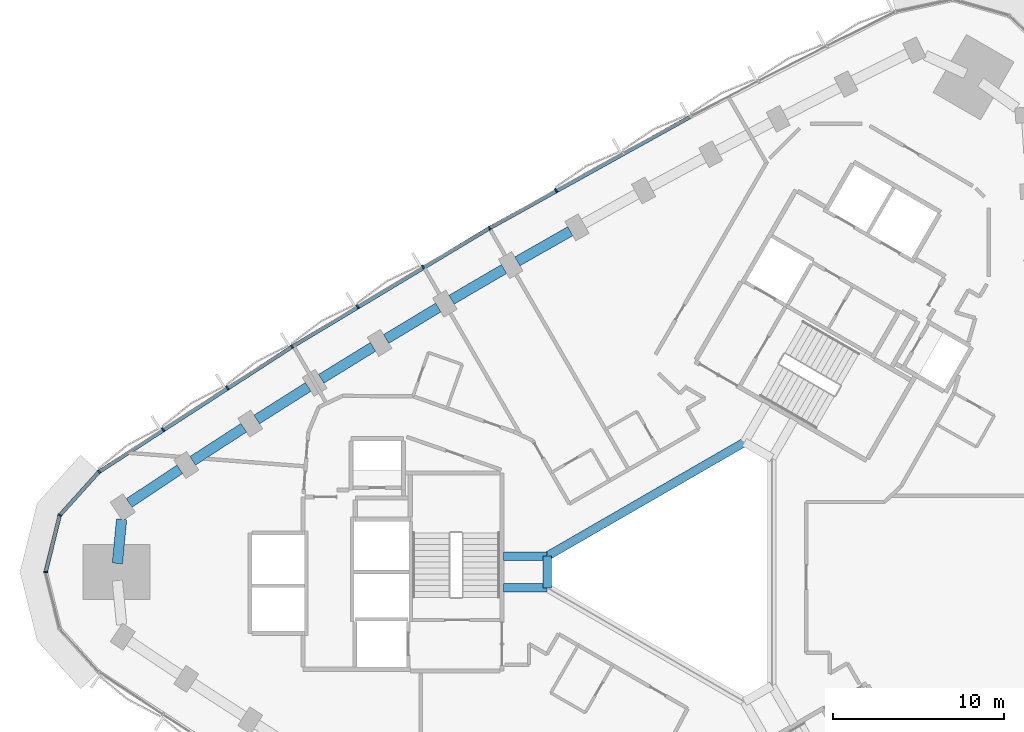
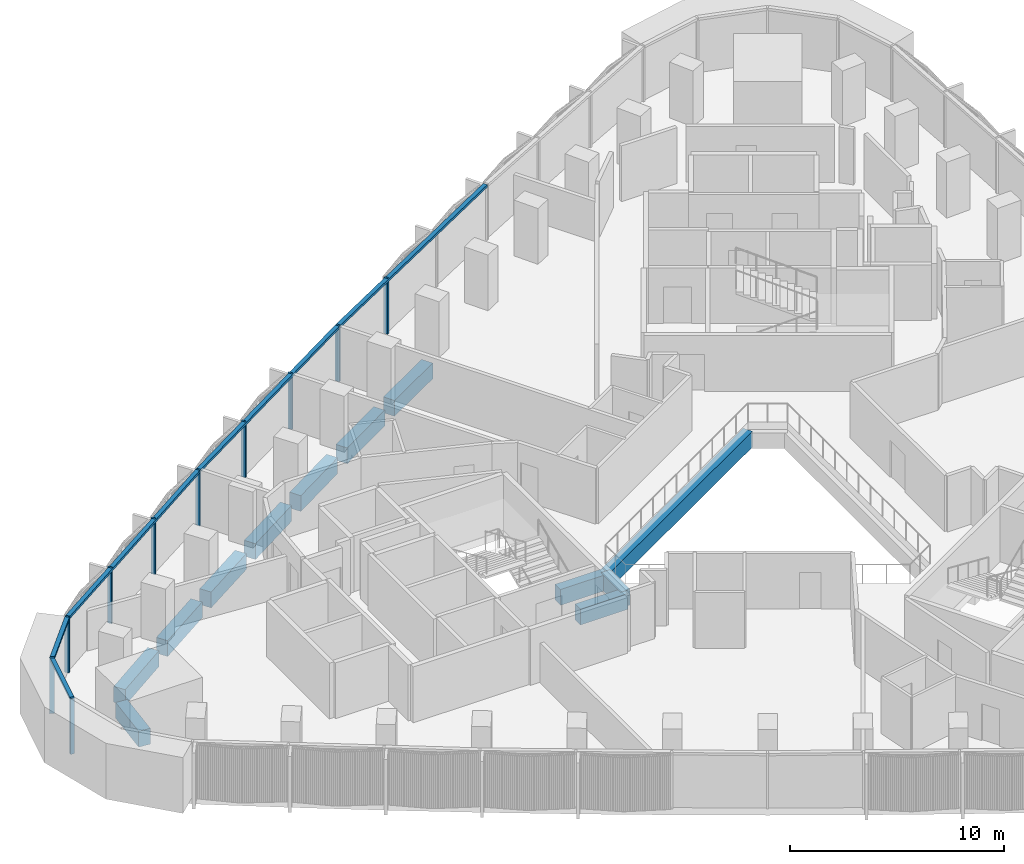
# One storey, part 4 of 15: 15 members, 12 beams, 1 element without a shape of its own.
"""IFC4 building model written with IfcOpenShell, lengths in metres."""

from ifc_helpers import new_model, si_unit, direction, frame, origin, origin_2d, place, context, subcontext, project, spatial, rectangle, extrude, material, material_profile, profile_set, type_object, element, aggregate, save


model = new_model("IFC4")

# Units and contexts
model_context = context("Model", 3, precision=1e-05, world=origin(), true_north=direction((0.0, 1.0)))
body_context = subcontext(model_context, "Body", "Model", "MODEL_VIEW")
ifc_project = project(units=[si_unit("LENGTHUNIT", "METRE"), si_unit("AREAUNIT", "SQUARE_METRE"), si_unit("VOLUMEUNIT", "CUBIC_METRE"), si_unit("PLANEANGLEUNIT", "RADIAN"), si_unit("MASSUNIT", "GRAM", prefix="KILO")], contexts=[model_context])

# Site, building, storey
site_placement = place(None, origin())
site = spatial("IfcSite", under=ifc_project, at=site_placement, CompositionType="ELEMENT")
building_placement = place(site_placement, origin())
building = spatial("IfcBuilding", under=site, at=building_placement, Name="Tamra Quay Hotel Tower", CompositionType="ELEMENT")
storey_placement = place(building_placement, frame((0.0, 0.0, 108.199951171875)))
storey = spatial("IfcBuildingStorey", under=building, at=storey_placement, Name="L26", CompositionType="ELEMENT", Elevation=108.199951171875)

# Beams
ifc_material_1 = material(Name="Concrete M60", Category="concrete")
ifc_material_profile_1 = material_profile(ifc_material_1, rectangle(XDim=0.5, YDim=0.89990234375, at=origin_2d()), Name="ATRIUM EDGE BEAM RC 500x900")
ifc_profile_set_1 = profile_set([ifc_material_profile_1], Name="Concrete M60")
beam_type_1 = type_object("IfcBeamType", Name="ATRIUM EDGE BEAM RC 500x900", PredefinedType="BEAM", material=ifc_profile_set_1)
beam_1_placement = place(storey_placement, frame((-8.199951171875, -0.923828125, -0.875), z_axis=(0.0, 1.0, 0.0), x_axis=(-1.0, 0.0, 0.0)))
element("IfcBeam", 1, at=beam_1_placement, inside=storey, type_object=beam_type_1, Name="BM-AB3-L26", PredefinedType="BEAM", context=body_context, shape_type="SweptSolid", body=[
    extrude(rectangle(XDim=0.5, YDim=0.89990234375, at=origin_2d()), origin(), (0.0, 0.0, 1.0), 1.84765625),
])
beam_2_placement = place(storey_placement, frame((-8.199951171875, 0.923828125, -0.875), z_axis=(0.866029440693, 0.499993007805, 0.0), x_axis=(-0.499993007805, 0.866029440693, 0.0)))
element("IfcBeam", 2, at=beam_2_placement, inside=storey, type_object=beam_type_1, Name="BM-AB4-L26", PredefinedType="BEAM", context=body_context, shape_type="SweptSolid", body=[
    extrude(rectangle(XDim=0.5, YDim=0.89990234375, at=origin_2d()), origin(), (0.0, 0.0, 1.0), 13.279052734375),
])
ifc_material_profile_2 = material_profile(ifc_material_1, rectangle(XDim=0.5, YDim=0.89990234375, at=origin_2d()), Name="ATRIUM TIE BEAM RC 500x900")
ifc_profile_set_2 = profile_set([ifc_material_profile_2], Name="Concrete M60")
beam_type_2 = type_object("IfcBeamType", Name="ATRIUM TIE BEAM RC 500x900", PredefinedType="BEAM", material=ifc_profile_set_2)
for number, where, z_axis, x_axis, name in (
    (3, (-8.199951171875, -0.923828125, -0.875), (-1.0, 0.0, 0.0), (0.0, -1.0, 0.0), "BM-TIE-3-L26"),
    (4, (-8.199951171875, 0.923828125, -0.875), (-1.0, 0.0, 0.0), (0.0, -1.0, 0.0), "BM-TIE-4-L26"),
):
    element("IfcBeam", number, at=place(storey_placement, frame(where, z_axis=z_axis, x_axis=x_axis)), inside=storey, type_object=beam_type_2, Name=name, PredefinedType="BEAM", context=body_context, shape_type="SweptSolid", body=[
        extrude(rectangle(XDim=0.5, YDim=0.89990234375, at=origin_2d()), origin(), (0.0, 0.0, 1.0), 2.562255859375),
    ])

# Curtain wall, members
ifc_material_2 = material(Name="Aluminium 6063 anodised dark grey", Category="aluminium")
curtain_wall_type = type_object("IfcCurtainWallType", Name="CW2 CURTAIN WALL", PredefinedType="NOTDEFINED", material=ifc_material_2)
curtain_wall_placement = place(storey_placement, origin())
curtain_wall = element("IfcCurtainWall", 5, at=curtain_wall_placement, inside=storey, type_object=curtain_wall_type, Name="CW2 north-west face L26", PredefinedType="NOTDEFINED")
ifc_material_profile_3 = material_profile(ifc_material_2, rectangle(XDim=0.219970703125, YDim=0.10009765625, at=origin_2d()), Name="MULLION 100X220")
ifc_profile_set_3 = profile_set([ifc_material_profile_3], Name="Aluminium 6063 anodised dark grey")
member_type_1 = type_object("IfcMemberType", Name="MULLION CW2 Z2", PredefinedType="MULLION", material=ifc_profile_set_3)
member_1_placement = place(storey_placement, frame((-7.685791015625, 22.25830078125, 0.0), z_axis=(0.0, 0.0, 1.0), x_axis=(-0.490074328026, 0.871680648523, 0.0)))
member_1 = element("IfcMember", 6, at=member_1_placement, type_object=member_type_1, Name="CW2 mullion L26.NW.6", PredefinedType="MULLION", context=body_context, shape_type="SweptSolid", body=[
    extrude(rectangle(XDim=0.219970703125, YDim=0.10009765625, at=origin_2d()), origin(), (0.0, 0.0, 1.0), 3.175048828125),
])
member_2_placement = place(storey_placement, frame((-11.572265625, 20.0439453125, 0.0), z_axis=(0.0, 0.0, 1.0), x_axis=(-0.5, 0.866025403784, 0.0)))
member_2 = element("IfcMember", 7, at=member_2_placement, type_object=member_type_1, Name="CW2 mullion L26.NW.7", PredefinedType="MULLION", context=body_context, shape_type="SweptSolid", body=[
    extrude(rectangle(XDim=0.219970703125, YDim=0.10009765625, at=origin_2d()), origin(), (0.0, 0.0, 1.0), 3.175048828125),
])
member_3_placement = place(storey_placement, frame((-15.43359375, 17.78515625, 0.0), z_axis=(0.0, 0.0, 1.0), x_axis=(-0.509860421596, 0.860257142075, 0.0)))
member_3 = element("IfcMember", 8, at=member_3_placement, type_object=member_type_1, Name="CW2 mullion L26.NW.8", PredefinedType="MULLION", context=body_context, shape_type="SweptSolid", body=[
    extrude(rectangle(XDim=0.219970703125, YDim=0.10009765625, at=origin_2d()), origin(), (0.0, 0.0, 1.0), 3.175048828125),
])
member_4_placement = place(storey_placement, frame((-19.2685546875, 15.482666015625, 0.0), z_axis=(0.0, 0.0, 1.0), x_axis=(-0.519650021275, 0.854379222236, 0.0)))
member_4 = element("IfcMember", 9, at=member_4_placement, type_object=member_type_1, Name="CW2 mullion L26.NW.9", PredefinedType="MULLION", context=body_context, shape_type="SweptSolid", body=[
    extrude(rectangle(XDim=0.219970703125, YDim=0.10009765625, at=origin_2d()), origin(), (0.0, 0.0, 1.0), 3.175048828125),
])
member_5_placement = place(storey_placement, frame((-23.0771484375, 13.13623046875, 0.0), z_axis=(0.0, 0.0, 1.0), x_axis=(-0.5293643356, 0.848394601701, 0.0)))
member_5 = element("IfcMember", 10, at=member_5_placement, type_object=member_type_1, Name="CW2 mullion L26.NW.10", PredefinedType="MULLION", context=body_context, shape_type="SweptSolid", body=[
    extrude(rectangle(XDim=0.219970703125, YDim=0.10009765625, at=origin_2d()), origin(), (0.0, 0.0, 1.0), 3.175048828125),
])
member_6_placement = place(storey_placement, frame((-26.858642578125, 10.74658203125, 0.0), z_axis=(0.0, 0.0, 1.0), x_axis=(-0.538998516205, 0.842306713453, 0.0)))
member_6 = element("IfcMember", 11, at=member_6_placement, type_object=member_type_1, Name="CW2 mullion L26.NW.11", PredefinedType="MULLION", context=body_context, shape_type="SweptSolid", body=[
    extrude(rectangle(XDim=0.219970703125, YDim=0.10009765625, at=origin_2d()), origin(), (0.0, 0.0, 1.0), 3.175048828125),
])
member_7_placement = place(storey_placement, frame((-30.612548828125, 8.314208984375, 0.0), z_axis=(0.0, 0.0, 1.0), x_axis=(-0.548547394531, 0.836119462729, 0.0)))
member_7 = element("IfcMember", 12, at=member_7_placement, type_object=member_type_1, Name="CW2 mullion L26.NW.12", PredefinedType="MULLION", context=body_context, shape_type="SweptSolid", body=[
    extrude(rectangle(XDim=0.219970703125, YDim=0.10009765625, at=origin_2d()), origin(), (0.0, 0.0, 1.0), 3.175048828125),
])
member_8_placement = place(storey_placement, frame((-34.338134765625, 5.839599609375, 0.0), z_axis=(0.0, 0.0, 1.0), x_axis=(-0.652886835472, 0.757455464081, 0.0)))
member_8 = element("IfcMember", 13, at=member_8_placement, type_object=member_type_1, Name="CW2 mullion L26.NW.13", PredefinedType="MULLION", context=body_context, shape_type="SweptSolid", body=[
    extrude(rectangle(XDim=0.219970703125, YDim=0.10009765625, at=origin_2d()), origin(), (0.0, 0.0, 1.0), 3.175048828125),
])
member_9_placement = place(storey_placement, frame((-36.623046875, 3.308349609375, 0.0), z_axis=(0.0, 0.0, 1.0), x_axis=(-0.882543846683, 0.47023011248, 0.0)))
member_9 = element("IfcMember", 14, at=member_9_placement, type_object=member_type_1, Name="CW2 mullion L26.NW.14", PredefinedType="MULLION", context=body_context, shape_type="SweptSolid", body=[
    extrude(rectangle(XDim=0.219970703125, YDim=0.10009765625, at=origin_2d()), origin(), (0.0, 0.0, 1.0), 3.175048828125),
])
member_10_placement = place(storey_placement, frame((-37.449462890625, 0.0, 0.0), z_axis=(0.0, 0.0, 1.0), x_axis=(-1.0, 0.0, 0.0)))
member_10 = element("IfcMember", 15, at=member_10_placement, type_object=member_type_1, Name="CW2 mullion L26.NW.15", PredefinedType="MULLION", context=body_context, shape_type="SweptSolid", body=[
    extrude(rectangle(XDim=0.219970703125, YDim=0.10009765625, at=origin_2d()), origin(), (0.0, 0.0, 1.0), 3.175048828125),
])

# Beams
ifc_material_profile_4 = material_profile(ifc_material_1, rectangle(XDim=0.60009765625, YDim=0.89990234375, at=origin_2d()), Name="SPANDREL BEAM RC 600x900")
ifc_profile_set_4 = profile_set([ifc_material_profile_4], Name="Concrete M60")
beam_type_3 = type_object("IfcBeamType", Name="SPANDREL BEAM RC 600x900", PredefinedType="SPANDREL", material=ifc_profile_set_4)
beam_3_placement = place(storey_placement, frame((-6.8583984375, 19.868896484375, -0.875), z_axis=(-0.868869699181, -0.495040852704, 0.0), x_axis=(0.495040852704, -0.868869699181, 0.0)))
element("IfcBeam", 16, at=beam_3_placement, inside=storey, type_object=beam_type_3, Name="BM-SP2-019-L26", PredefinedType="SPANDREL", context=body_context, shape_type="SweptSolid", body=[
    extrude(rectangle(XDim=0.60009765625, YDim=0.89990234375, at=origin_2d()), origin(), (0.0, 0.0, 1.0), 3.544921875),
])
for number, where, z_axis, x_axis, name in (
    (17, (-10.718017578125, 17.6640625, -0.875), (-0.863128698129, -0.504984010109, 0.0), (0.504984010109, -0.863128698129, 0.0), "BM-SP2-020-L26"),
    (18, (-14.552001953125, 15.415283203125, -0.875), (-0.857286231776, -0.514840088578, 0.0), (0.514840088578, -0.857286231776, 0.0), "BM-SP2-021-L26"),
):
    element("IfcBeam", number, at=place(storey_placement, frame(where, z_axis=z_axis, x_axis=x_axis)), inside=storey, type_object=beam_type_3, Name=name, PredefinedType="SPANDREL", context=body_context, shape_type="SweptSolid", body=[
        extrude(rectangle(XDim=0.60009765625, YDim=0.89990234375, at=origin_2d()), origin(), (0.0, 0.0, 1.0), 3.544677734375),
    ])
for number, where, z_axis, x_axis, name in (
    (19, (-18.35986328125, 13.122802734375, -0.875), (-0.851393361846, -0.524527733685, 0.0), (0.524527733685, -0.851393361846, 0.0), "BM-SP2-022-L26"),
    (20, (-22.1416015625, 10.787109375, -0.875), (-0.845333394052, -0.534239134566, 0.0), (0.534239134566, -0.845333394052, 0.0), "BM-SP2-023-L26"),
):
    element("IfcBeam", number, at=place(storey_placement, frame(where, z_axis=z_axis, x_axis=x_axis)), inside=storey, type_object=beam_type_3, Name=name, PredefinedType="SPANDREL", context=body_context, shape_type="SweptSolid", body=[
        extrude(rectangle(XDim=0.60009765625, YDim=0.89990234375, at=origin_2d()), origin(), (0.0, 0.0, 1.0), 3.544921875),
    ])
beam_4_placement = place(storey_placement, frame((-25.896240234375, 8.408203125, -0.875), z_axis=(-0.839237385713, -0.543765216266, 0.0), x_axis=(0.543765216266, -0.839237385713, 0.0)))
element("IfcBeam", 21, at=beam_4_placement, inside=storey, type_object=beam_type_3, Name="BM-SP2-024-L26", PredefinedType="SPANDREL", context=body_context, shape_type="SweptSolid", body=[
    extrude(rectangle(XDim=0.60009765625, YDim=0.89990234375, at=origin_2d()), origin(), (0.0, 0.0, 1.0), 3.544677734375),
])
beam_5_placement = place(storey_placement, frame((-29.623779296875, 5.98681640625, -0.875), z_axis=(-0.832981511469, -0.55330082374, 0.0), x_axis=(0.55330082374, -0.832981511469, 0.0)))
element("IfcBeam", 22, at=beam_5_placement, inside=storey, type_object=beam_type_3, Name="BM-SP2-025-L26", PredefinedType="SPANDREL", context=body_context, shape_type="SweptSolid", body=[
    extrude(rectangle(XDim=0.60009765625, YDim=0.89990234375, at=origin_2d()), origin(), (0.0, 0.0, 1.0), 3.544921875),
])
beam_6_placement = place(storey_placement, frame((-33.019287109375, 3.070556640625, -0.875), z_axis=(-0.09550001445, -0.995429428558, 0.0), x_axis=(0.995429428558, -0.09550001445, 0.0)))
element("IfcBeam", 23, at=beam_6_placement, inside=storey, type_object=beam_type_3, Name="BM-SP2-026-L26", PredefinedType="SPANDREL", context=body_context, shape_type="SweptSolid", body=[
    extrude(rectangle(XDim=0.60009765625, YDim=0.89990234375, at=origin_2d()), origin(), (0.0, 0.0, 1.0), 2.58447265625),
])

# Member
ifc_material_profile_5 = material_profile(ifc_material_2, rectangle(XDim=0.219970703125, YDim=0.139892578125, at=origin_2d()), Name="TRANSOM 220X140")
ifc_profile_set_5 = profile_set([ifc_material_profile_5], Name="Aluminium 6063 anodised dark grey")
member_type_2 = type_object("IfcMemberType", Name="TRANSOM CW2 Z2", PredefinedType="USERDEFINED", material=ifc_profile_set_5)
member_11_placement = place(storey_placement, frame((0.1181640625, 26.52978515625, 3.10498046875), z_axis=(-0.874459721019, -0.485098130605, 0.0), x_axis=(0.485098130605, -0.874459721019, 0.0)))
member_11 = element("IfcMember", 24, at=member_11_placement, type_object=member_type_2, Name="CW2 transom L26.NW.4", ObjectType="TRANSOM", PredefinedType="USERDEFINED", context=body_context, shape_type="SweptSolid", body=[
    extrude(rectangle(XDim=0.219970703125, YDim=0.139892578125, at=origin_2d()), origin(), (0.0, 0.0, 1.0), 13.3193359375),
])

member_12_placement = place(storey_placement, frame((-11.615478515625, 20.018798828125, 3.10498046875), z_axis=(-0.857332765871, -0.514762594372, 0.0), x_axis=(0.514762594372, -0.857332765871, 0.0)))
member_12 = element("IfcMember", 25, at=member_12_placement, type_object=member_type_2, Name="CW2 transom L26.NW.7", ObjectType="TRANSOM", PredefinedType="USERDEFINED", context=body_context, shape_type="SweptSolid", body=[
    extrude(rectangle(XDim=0.219970703125, YDim=0.139892578125, at=origin_2d()), origin(), (0.0, 0.0, 1.0), 13.319091796875),
])

member_13_placement = place(storey_placement, frame((-23.119384765625, 13.109619140625, 3.10498046875), z_axis=(-0.8392271939, -0.543780945804, 0.0), x_axis=(0.543780945804, -0.8392271939, 0.0)))
member_13 = element("IfcMember", 26, at=member_13_placement, type_object=member_type_2, Name="CW2 transom L26.NW.10", ObjectType="TRANSOM", PredefinedType="USERDEFINED", context=body_context, shape_type="SweptSolid", body=[
    extrude(rectangle(XDim=0.219970703125, YDim=0.139892578125, at=origin_2d()), origin(), (0.0, 0.0, 1.0), 13.318115234375),
])

member_14_placement = place(storey_placement, frame((-34.37158203125, 5.802490234375, 3.10498046875), z_axis=(-0.670080516261, -0.742288422196, 0.0), x_axis=(0.742288422196, -0.670080516261, 0.0)))
member_14 = element("IfcMember", 27, at=member_14_placement, type_object=member_type_2, Name="CW2 transom L26.NW.13", ObjectType="TRANSOM", PredefinedType="USERDEFINED", context=body_context, shape_type="SweptSolid", body=[
    extrude(rectangle(XDim=0.219970703125, YDim=0.139892578125, at=origin_2d()), origin(), (0.0, 0.0, 1.0), 3.31005859375),
])

member_15_placement = place(storey_placement, frame((-36.63525390625, 3.260009765625, 3.10498046875), z_axis=(-0.242292652285, -0.970203211007, 0.0), x_axis=(0.970203211007, -0.242292652285, 0.0)))
member_15 = element("IfcMember", 28, at=member_15_placement, type_object=member_type_2, Name="CW2 transom L26.NW.14", ObjectType="TRANSOM", PredefinedType="USERDEFINED", context=body_context, shape_type="SweptSolid", body=[
    extrude(rectangle(XDim=0.219970703125, YDim=0.139892578125, at=origin_2d()), origin(), (0.0, 0.0, 1.0), 3.31005859375),
])

aggregate(curtain_wall, [member_11, member_1, member_2, member_12, member_3, member_4, member_5, member_13, member_6, member_7, member_8, member_14, member_9, member_15, member_10])

save(model, "model.ifc")
